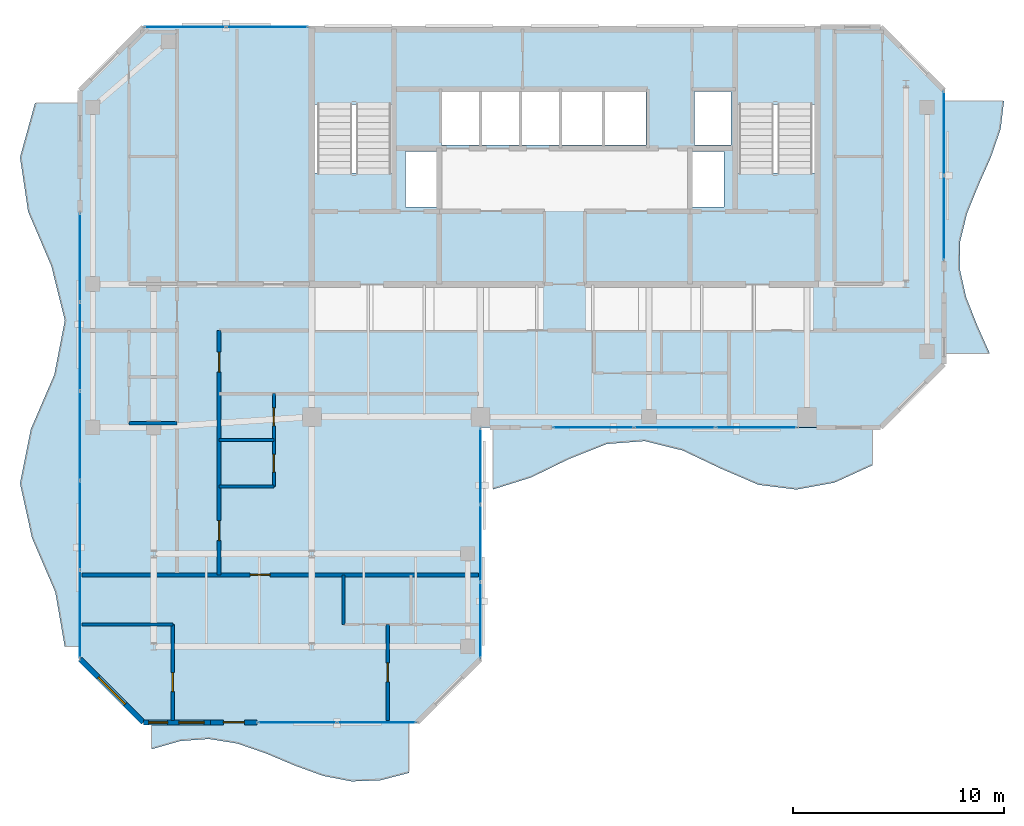
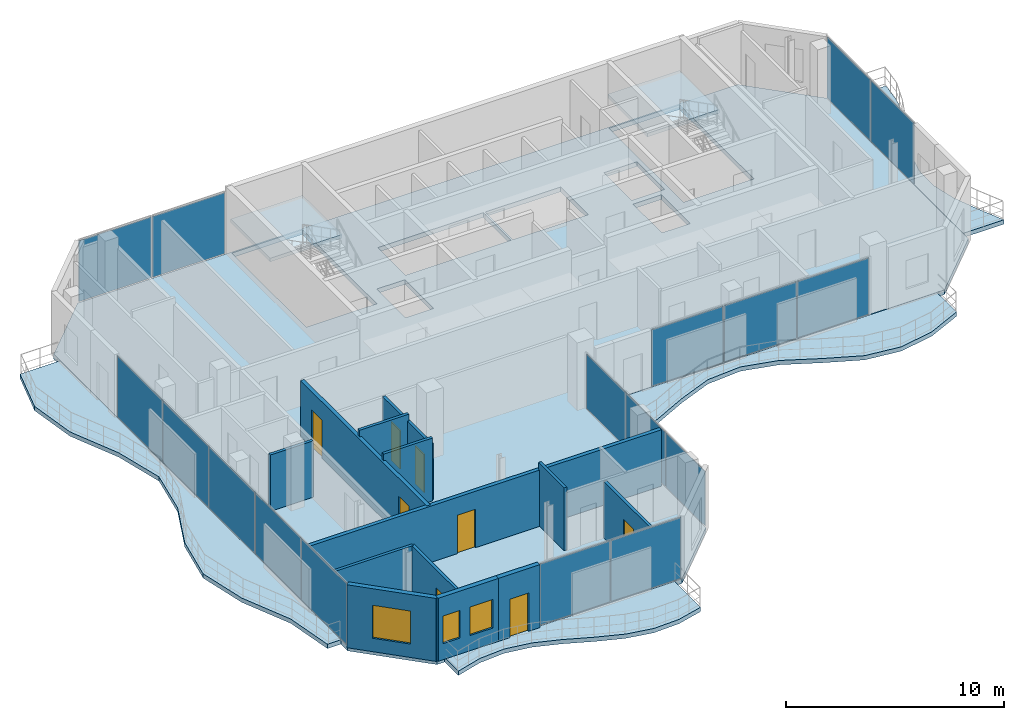
# One storey, part 17 of 23: 17 plates, 13 walls, 8 doors, 7 slabs, 3 windows, 11 openings, 8 elements without a shape of their own.
"""IFC4 building model written with IfcOpenShell, lengths in metres."""

from ifc_helpers import new_model, si_unit, direction, frame, frame_2d, origin, origin_2d, place, context, subcontext, project, spatial, polyline, rectangle, outline, extrude, material, layer, layer_set, type_object, element, fill, aggregate, save


model = new_model("IFC4")

# Units and contexts
model_context = context("Model", 3, precision=1e-05, world=origin(), true_north=direction((0.0, 1.0)))
body_context = subcontext(model_context, "Body", "Model", "MODEL_VIEW")
ifc_project = project(units=[si_unit("LENGTHUNIT", "METRE"), si_unit("AREAUNIT", "SQUARE_METRE"), si_unit("VOLUMEUNIT", "CUBIC_METRE"), si_unit("PLANEANGLEUNIT", "RADIAN"), si_unit("MASSUNIT", "GRAM", prefix="KILO")], contexts=[model_context])

# Site, building, storey
site_placement = place(None, origin())
site = spatial("IfcSite", under=ifc_project, at=site_placement, CompositionType="ELEMENT")
building_placement = place(site_placement, origin())
building = spatial("IfcBuilding", under=site, at=building_placement, Name="Catumbela Crestline Tower", CompositionType="ELEMENT")
storey_placement = place(building_placement, frame((0.0, 0.0, 248.8)))
storey = spatial("IfcBuildingStorey", under=building, at=storey_placement, Name="L64", CompositionType="ELEMENT", Elevation=248.8)

# Curtain wall, plates
ifc_material_1 = material(Name="Aluminium alloy AW-6060-T66", Category="aluminium")
ifc_layer_1 = layer(ifc_material_1, 0.18, Name="Aluminium alloy AW-6060-T66")
ifc_layer_set_1 = layer_set([ifc_layer_1], Name="Aluminium alloy AW-6060-T66")
curtain_wall_type = type_object("IfcCurtainWallType", Name="CWU-Z4", PredefinedType="USERDEFINED", material=ifc_layer_set_1)
curtain_wall_1_placement = place(storey_placement, origin())
curtain_wall_1 = element("IfcCurtainWall", 1, at=curtain_wall_1_placement, inside=storey, type_object=curtain_wall_type, Name="L64 Unitised Curtain Wall CW-L64-E0S2", ObjectType="UNITISED", PredefinedType="USERDEFINED")
ifc_material_2 = material(Name="Low-E laminated solar-control double glazing", Category="glass")
ifc_layer_2 = layer(ifc_material_2, 0.036, Name="Low-E laminated solar-control double glazing")
ifc_layer_set_2 = layer_set([ifc_layer_2], Name="Low-E laminated solar-control double glazing")
plate_type = type_object("IfcPlateType", Name="PNL-GLZ-Z4", PredefinedType="CURTAIN_PANEL", material=ifc_layer_set_2)
plate_1_placement = place(storey_placement, frame((15.3162, 10.0, 0.06), z_axis=(0.0, 0.0, 1.0), x_axis=(1.0, 0.0, 0.0)))
plate_1 = element("IfcPlate", 2, at=plate_1_placement, type_object=plate_type, Name="CWU-Z4 panel 1.1", PredefinedType="CURTAIN_PANEL", context=body_context, shape_type="SweptSolid", body=[
    extrude(rectangle(XDim=3.7025, YDim=0.034, at=origin_2d()), origin(), (0.0, 0.0, 1.0), 3.41),
])
plate_2_placement = place(storey_placement, frame((19.0837, 10.0, 0.06), z_axis=(0.0, 0.0, 1.0), x_axis=(1.0, 0.0, 0.0)))
plate_2 = element("IfcPlate", 3, at=plate_2_placement, type_object=plate_type, Name="CWU-Z4 panel 2.1", PredefinedType="CURTAIN_PANEL", context=body_context, shape_type="SweptSolid", body=[
    extrude(rectangle(XDim=3.7025, YDim=0.034, at=origin_2d()), origin(), (0.0, 0.0, 1.0), 3.41),
])
aggregate(curtain_wall_1, [plate_1, plate_2])

curtain_wall_2_placement = place(storey_placement, origin())
curtain_wall_2 = element("IfcCurtainWall", 4, at=curtain_wall_2_placement, inside=storey, type_object=curtain_wall_type, Name="L64 Unitised Curtain Wall CW-L64-E2S1", ObjectType="UNITISED", PredefinedType="USERDEFINED")
plate_3_placement = place(storey_placement, frame((24.0, 14.8496, 0.06), z_axis=(0.0, 0.0, 1.0), x_axis=(0.0, 1.0, 0.0)))
plate_3 = element("IfcPlate", 5, at=plate_3_placement, type_object=plate_type, Name="CWU-Z4 panel 1.1", PredefinedType="CURTAIN_PANEL", context=body_context, shape_type="SweptSolid", body=[
    extrude(rectangle(XDim=3.5692, YDim=0.034, at=origin_2d()), origin(), (0.0, 0.0, 1.0), 3.04),
])
plate_4_placement = place(storey_placement, frame((24.0, 18.5, 0.06), z_axis=(0.0, 0.0, 1.0), x_axis=(0.0, 1.0, 0.0)))
plate_4 = element("IfcPlate", 6, at=plate_4_placement, type_object=plate_type, Name="CWU-Z4 panel 2.1", PredefinedType="CURTAIN_PANEL", context=body_context, shape_type="SweptSolid", body=[
    extrude(rectangle(XDim=3.6017, YDim=0.034, at=origin_2d()), origin(), (0.0, 0.0, 1.0), 3.04),
])
plate_5_placement = place(storey_placement, frame((24.0, 22.1504, 0.06), z_axis=(0.0, 0.0, 1.0), x_axis=(0.0, 1.0, 0.0)))
plate_5 = element("IfcPlate", 7, at=plate_5_placement, type_object=plate_type, Name="CWU-Z4 panel 3.1", PredefinedType="CURTAIN_PANEL", context=body_context, shape_type="SweptSolid", body=[
    extrude(rectangle(XDim=3.5692, YDim=0.034, at=origin_2d()), origin(), (0.0, 0.0, 1.0), 3.04),
])
aggregate(curtain_wall_2, [plate_3, plate_4, plate_5])

curtain_wall_3_placement = place(storey_placement, origin())
curtain_wall_3 = element("IfcCurtainWall", 8, at=curtain_wall_3_placement, inside=storey, type_object=curtain_wall_type, Name="L64 Unitised Curtain Wall CW-L64-E3S2", ObjectType="UNITISED", PredefinedType="USERDEFINED")
plate_6_placement = place(storey_placement, frame((29.3579, 24.0, 0.06), z_axis=(0.0, 0.0, 1.0), x_axis=(1.0, 0.0, 0.0)))
plate_6 = element("IfcPlate", 9, at=plate_6_placement, type_object=plate_type, Name="CWU-Z4 panel 1.1", PredefinedType="CURTAIN_PANEL", context=body_context, shape_type="SweptSolid", body=[
    extrude(rectangle(XDim=3.7858, YDim=0.034, at=origin_2d()), origin(), (0.0, 0.0, 1.0), 3.15),
])
plate_7_placement = place(storey_placement, frame((33.225, 24.0, 0.06), z_axis=(0.0, 0.0, 1.0), x_axis=(1.0, 0.0, 0.0)))
plate_7 = element("IfcPlate", 10, at=plate_7_placement, type_object=plate_type, Name="CWU-Z4 panel 2.1", PredefinedType="CURTAIN_PANEL", context=body_context, shape_type="SweptSolid", body=[
    extrude(rectangle(XDim=3.8183, YDim=0.034, at=origin_2d()), origin(), (0.0, 0.0, 1.0), 3.15),
])
plate_8_placement = place(storey_placement, frame((37.0921, 24.0, 0.06), z_axis=(0.0, 0.0, 1.0), x_axis=(1.0, 0.0, 0.0)))
plate_8 = element("IfcPlate", 11, at=plate_8_placement, type_object=plate_type, Name="CWU-Z4 panel 3.1", PredefinedType="CURTAIN_PANEL", context=body_context, shape_type="SweptSolid", body=[
    extrude(rectangle(XDim=3.7858, YDim=0.034, at=origin_2d()), origin(), (0.0, 0.0, 1.0), 3.15),
])
aggregate(curtain_wall_3, [plate_6, plate_7, plate_8])

curtain_wall_4_placement = place(storey_placement, origin())
curtain_wall_4 = element("IfcCurtainWall", 12, at=curtain_wall_4_placement, inside=storey, type_object=curtain_wall_type, Name="L64 Unitised Curtain Wall CW-L64-E5S2", ObjectType="UNITISED", PredefinedType="USERDEFINED")
plate_9_placement = place(storey_placement, frame((46.0, 33.9412, 0.06), z_axis=(0.0, 0.0, 1.0), x_axis=(0.0, 1.0, 0.0)))
plate_9 = element("IfcPlate", 13, at=plate_9_placement, type_object=plate_type, Name="CWU-Z4 panel 1.1", PredefinedType="CURTAIN_PANEL", context=body_context, shape_type="SweptSolid", body=[
    extrude(rectangle(XDim=3.9525, YDim=0.034, at=origin_2d()), origin(), (0.0, 0.0, 1.0), 3.41),
])
plate_10_placement = place(storey_placement, frame((46.0, 37.9588, 0.06), z_axis=(0.0, 0.0, 1.0), x_axis=(0.0, 1.0, 0.0)))
plate_10 = element("IfcPlate", 14, at=plate_10_placement, type_object=plate_type, Name="CWU-Z4 panel 2.1", PredefinedType="CURTAIN_PANEL", context=body_context, shape_type="SweptSolid", body=[
    extrude(rectangle(XDim=3.9525, YDim=0.034, at=origin_2d()), origin(), (0.0, 0.0, 1.0), 3.41),
])
aggregate(curtain_wall_4, [plate_9, plate_10])

curtain_wall_5_placement = place(storey_placement, origin())
curtain_wall_5 = element("IfcCurtainWall", 15, at=curtain_wall_5_placement, inside=storey, type_object=curtain_wall_type, Name="L64 Unitised Curtain Wall CW-L64-E7S2", ObjectType="UNITISED", PredefinedType="USERDEFINED")
plate_11_placement = place(storey_placement, frame((13.8788, 43.0, 0.06), z_axis=(0.0, 0.0, 1.0), x_axis=(-1.0, 0.0, 0.0)))
plate_11 = element("IfcPlate", 16, at=plate_11_placement, type_object=plate_type, Name="CWU-Z4 panel 1.1", PredefinedType="CURTAIN_PANEL", context=body_context, shape_type="SweptSolid", body=[
    extrude(rectangle(XDim=3.8325, YDim=0.034, at=origin_2d()), origin(), (0.0, 0.0, 1.0), 3.41),
])
plate_12_placement = place(storey_placement, frame((9.9812, 43.0, 0.06), z_axis=(0.0, 0.0, 1.0), x_axis=(-1.0, 0.0, 0.0)))
plate_12 = element("IfcPlate", 17, at=plate_12_placement, type_object=plate_type, Name="CWU-Z4 panel 2.1", PredefinedType="CURTAIN_PANEL", context=body_context, shape_type="SweptSolid", body=[
    extrude(rectangle(XDim=3.8325, YDim=0.034, at=origin_2d()), origin(), (0.0, 0.0, 1.0), 3.41),
])
aggregate(curtain_wall_5, [plate_11, plate_12])

curtain_wall_6_placement = place(storey_placement, origin())
curtain_wall_6 = element("IfcCurtainWall", 18, at=curtain_wall_6_placement, inside=storey, type_object=curtain_wall_type, Name="L64 Unitised Curtain Wall CW-L64-E9S2", ObjectType="UNITISED", PredefinedType="USERDEFINED")
plate_13_placement = place(storey_placement, frame((5.0, 32.0638, 0.06), z_axis=(0.0, 0.0, 1.0), x_axis=(0.0, -1.0, 0.0)))
plate_13 = element("IfcPlate", 19, at=plate_13_placement, type_object=plate_type, Name="CWU-Z4 panel 1.1", PredefinedType="CURTAIN_PANEL", context=body_context, shape_type="SweptSolid", body=[
    extrude(rectangle(XDim=4.1425, YDim=0.034, at=origin_2d()), origin(), (0.0, 0.0, 1.0), 3.41),
])
plate_14_placement = place(storey_placement, frame((5.0, 27.84, 0.06), z_axis=(0.0, 0.0, 1.0), x_axis=(0.0, -1.0, 0.0)))
plate_14 = element("IfcPlate", 20, at=plate_14_placement, type_object=plate_type, Name="CWU-Z4 panel 2.1", PredefinedType="CURTAIN_PANEL", context=body_context, shape_type="SweptSolid", body=[
    extrude(rectangle(XDim=4.175, YDim=0.034, at=origin_2d()), origin(), (0.0, 0.0, 1.0), 3.41),
])
plate_15_placement = place(storey_placement, frame((5.0, 23.6, 0.06), z_axis=(0.0, 0.0, 1.0), x_axis=(0.0, -1.0, 0.0)))
plate_15 = element("IfcPlate", 21, at=plate_15_placement, type_object=plate_type, Name="CWU-Z4 panel 3.1", PredefinedType="CURTAIN_PANEL", context=body_context, shape_type="SweptSolid", body=[
    extrude(rectangle(XDim=4.175, YDim=0.034, at=origin_2d()), origin(), (0.0, 0.0, 1.0), 3.41),
])
plate_16_placement = place(storey_placement, frame((5.0, 19.36, 0.06), z_axis=(0.0, 0.0, 1.0), x_axis=(0.0, -1.0, 0.0)))
plate_16 = element("IfcPlate", 22, at=plate_16_placement, type_object=plate_type, Name="CWU-Z4 panel 4.1", PredefinedType="CURTAIN_PANEL", context=body_context, shape_type="SweptSolid", body=[
    extrude(rectangle(XDim=4.175, YDim=0.034, at=origin_2d()), origin(), (0.0, 0.0, 1.0), 3.41),
])
plate_17_placement = place(storey_placement, frame((5.0, 15.1362, 0.06), z_axis=(0.0, 0.0, 1.0), x_axis=(0.0, -1.0, 0.0)))
plate_17 = element("IfcPlate", 23, at=plate_17_placement, type_object=plate_type, Name="CWU-Z4 panel 5.1", PredefinedType="CURTAIN_PANEL", context=body_context, shape_type="SweptSolid", body=[
    extrude(rectangle(XDim=4.1425, YDim=0.034, at=origin_2d()), origin(), (0.0, 0.0, 1.0), 3.41),
])
aggregate(curtain_wall_6, [plate_13, plate_14, plate_15, plate_16, plate_17])

# Stair, slab
ifc_material_3 = material(Name="Concrete C45/55", Category="concrete")
stair_type = type_object("IfcStairType", Name="ST-DLG", PredefinedType="HALF_TURN_STAIR", material=ifc_material_3)
stair_1_placement = place(storey_placement, origin())
stair_1 = element("IfcStair", 24, at=stair_1_placement, inside=storey, type_object=stair_type, Name="L64 West Core Pressurised Exit Stair ST-01", PredefinedType="HALF_TURN_STAIR")
ifc_layer_3 = layer(ifc_material_3, 0.2, Name="Concrete C45/55")
ifc_layer_set_3 = layer_set([ifc_layer_3], Name="Concrete C45/55")
slab_type_1 = type_object("IfcSlabType", Name="SL-LND", PredefinedType="LANDING", material=ifc_layer_set_3)
slab_1_placement = place(storey_placement, frame((0.0, 0.0, 1.7)))
slab_1 = element("IfcSlab", 25, at=slab_1_placement, type_object=slab_type_1, Name="ST-01 landing 1", PredefinedType="LANDING", context=body_context, shape_type="SweptSolid", body=[
    extrude(outline(polyline([(19.91, 39.33), (19.91, 42.96), (16.09, 42.96), (16.09, 39.33), (19.91, 39.33)])), origin(), (0.0, 0.0, 1.0), 0.2),
])
aggregate(stair_1, [slab_1])

stair_2_placement = place(storey_placement, origin())
stair_2 = element("IfcStair", 26, at=stair_2_placement, inside=storey, type_object=stair_type, Name="L64 East Core Pressurised Exit Stair ST-02", PredefinedType="HALF_TURN_STAIR")
slab_2_placement = place(storey_placement, frame((0.0, 0.0, 1.7)))
slab_2 = element("IfcSlab", 27, at=slab_2_placement, type_object=slab_type_1, Name="ST-02 landing 1", PredefinedType="LANDING", context=body_context, shape_type="SweptSolid", body=[
    extrude(outline(polyline([(39.91, 39.33), (39.91, 42.96), (36.09, 42.96), (36.09, 39.33), (39.91, 39.33)])), origin(), (0.0, 0.0, 1.0), 0.2),
])
aggregate(stair_2, [slab_2])

# Slabs
ifc_layer_4 = layer(ifc_material_3, 0.26, Name="Concrete C45/55")
ifc_layer_set_4 = layer_set([ifc_layer_4], Name="Concrete C45/55")
slab_type_2 = type_object("IfcSlabType", Name="SL-260", PredefinedType="FLOOR", material=ifc_layer_set_4)
slab_3_placement = place(storey_placement, frame((0.0, 0.0, -0.26)))
element("IfcSlab", 28, at=slab_3_placement, inside=storey, type_object=slab_type_2, Name="L64 Structural Floor Slab", PredefinedType="FLOOR", context=body_context, shape_type="SweptSolid", body=[
    extrude(outline(polyline([(8.0, 10.0), (21.0, 10.0), (24.0, 13.0), (24.0, 24.0), (43.0, 24.0), (46.0, 27.0), (46.0, 40.0), (43.0, 43.0), (8.0, 43.0), (5.0, 40.0), (5.0, 13.0), (8.0, 10.0)]), holes=[polyline([(16.13, 36.08), (19.87, 36.08), (19.87, 42.92), (16.13, 42.92), (16.13, 36.08)]), polyline([(36.13, 36.08), (39.87, 36.08), (39.87, 42.92), (36.13, 42.92), (36.13, 36.08)]), polyline([(22.15, 37.4), (27.75, 37.4), (27.75, 39.95), (22.15, 39.95), (22.15, 37.4)]), polyline([(27.85, 37.4), (31.85, 37.4), (31.85, 39.95), (27.85, 39.95), (27.85, 37.4)]), polyline([(20.45, 34.45), (21.95, 34.45), (21.95, 37.1), (20.45, 37.1), (20.45, 34.45)]), polyline([(34.05, 34.45), (35.55, 34.45), (35.55, 37.1), (34.05, 37.1), (34.05, 34.45)]), polyline([(34.15, 37.4), (35.9, 37.4), (35.9, 39.95), (34.15, 39.95), (34.15, 37.4)])]), origin(), (0.0, 0.0, 1.0), 0.26),
])
ifc_layer_5 = layer(ifc_material_3, 0.24, Name="Concrete C45/55")
ifc_layer_set_5 = layer_set([ifc_layer_5], Name="Concrete C45/55")
slab_type_3 = type_object("IfcSlabType", Name="SB-240W", PredefinedType="USERDEFINED", material=ifc_layer_set_5)
slab_4_placement = place(storey_placement, frame((0.0, 0.0, -0.24)))
element("IfcSlab", 29, at=slab_4_placement, inside=storey, type_object=slab_type_3, Name="L64 Cantilevered Wave Balcony Slab SPINE-S", ObjectType="BALCONY", PredefinedType="USERDEFINED", context=body_context, shape_type="SweptSolid", body=[
    extrude(outline(polyline([(24.6, 21.0587), (26.4, 21.6219), (28.2, 22.4984), (30.0, 23.2132), (31.8, 23.35), (33.6, 22.9053), (35.4, 22.0496), (37.2, 21.2754), (39.0, 21.05), (40.8, 21.3785), (42.6, 22.2), (42.6, 23.99), (24.6, 23.99), (24.6, 21.0587)])), origin(), (0.0, 0.0, 1.0), 0.24),
])
slab_5_placement = place(storey_placement, frame((0.0, 0.0, -0.24)))
element("IfcSlab", 30, at=slab_5_placement, inside=storey, type_object=slab_type_3, Name="L64 Cantilevered Wave Balcony Slab SPINE-E", ObjectType="BALCONY", PredefinedType="USERDEFINED", context=body_context, shape_type="SweptSolid", body=[
    extrude(outline(polyline([(46.01, 27.5), (48.1771, 27.5), (47.5835, 28.8333), (47.0557, 30.1667), (46.7541, 31.5), (46.7704, 32.8333), (47.0995, 34.1667), (47.6416, 35.5), (48.2318, 36.8333), (48.6908, 38.1667), (48.85, 39.5), (46.01, 39.5), (46.01, 27.5)])), origin(), (0.0, 0.0, 1.0), 0.24),
])
slab_6_placement = place(storey_placement, frame((0.0, 0.0, -0.24)))
element("IfcSlab", 31, at=slab_6_placement, inside=storey, type_object=slab_type_3, Name="L64 Cantilevered Wave Balcony Slab WING-S", ObjectType="BALCONY", PredefinedType="USERDEFINED", context=body_context, shape_type="SweptSolid", body=[
    extrude(outline(polyline([(8.4, 8.7274), (9.7556, 9.1141), (11.1111, 9.214), (12.4667, 8.9957), (13.8222, 8.5276), (15.1778, 7.9567), (16.5333, 7.4622), (17.8889, 7.1992), (19.2444, 7.2503), (20.6, 7.5995), (20.6, 9.99), (8.4, 9.99), (8.4, 8.7274)])), origin(), (0.0, 0.0, 1.0), 0.24),
])
slab_7_placement = place(storey_placement, frame((0.0, 0.0, -0.24)))
element("IfcSlab", 32, at=slab_7_placement, inside=storey, type_object=slab_type_3, Name="L64 Cantilevered Wave Balcony Slab WEST", ObjectType="BALCONY", PredefinedType="USERDEFINED", context=body_context, shape_type="SweptSolid", body=[
    extrude(outline(polyline([(4.99, 39.4), (2.8644, 39.4), (2.15, 36.82), (2.5342, 34.24), (3.6369, 31.66), (4.2771, 29.08), (3.7771, 26.5), (2.6662, 23.92), (2.15, 21.34), (2.7175, 18.76), (3.8253, 16.18), (4.2712, 13.6), (4.99, 13.6), (4.99, 39.4)])), origin(), (0.0, 0.0, 1.0), 0.24),
])

# Wall, openings, doors
ifc_material_4 = material(Name="Acoustic gypsum and mineral-wool partition")
ifc_layer_6 = layer(ifc_material_4, 0.2, Name="Acoustic gypsum and mineral-wool partition")
ifc_layer_set_6 = layer_set([ifc_layer_6], Name="Acoustic gypsum and mineral-wool partition")
wall_type_1 = type_object("IfcWallType", Name="WC-200", PredefinedType="PARTITIONING", material=ifc_layer_set_6)
wall_1_placement = place(storey_placement, frame((11.6, 17.0, 0.0), z_axis=(0.0, 0.0, 1.0), x_axis=(0.0, 1.0, 0.0)))
wall_1 = element("IfcWall", 33, at=wall_1_placement, inside=storey, type_object=wall_type_1, Name="L64 Interior Partition PW-L64-RWAM-ENT", PredefinedType="PARTITIONING", context=body_context, shape_type="SweptSolid", body=[
    extrude(rectangle(XDim=11.6, YDim=0.2, at=frame_2d((5.8, 0.0))), origin(), (0.0, 0.0, 1.0), 3.16),
])
opening_1_placement = place(wall_1_placement, frame((9.625, 0.0, 0.0)))
opening_1 = element("IfcOpeningElement", 34, at=opening_1_placement, cuts=wall_1, Name="Opening DF6-095", PredefinedType="OPENING", context=body_context, shape_type="SweptSolid", body=[
    extrude(rectangle(XDim=0.95, YDim=2.15, at=frame_2d((0.475, 1.075))), frame((0.0, 0.11, 0.0), z_axis=(0.0, -1.0, 0.0), x_axis=(1.0, 0.0, 0.0)), (0.0, 0.0, 1.0), 0.22),
])
opening_2_placement = place(wall_1_placement, frame((1.625, 0.0, 0.0)))
opening_2 = element("IfcOpeningElement", 35, at=opening_2_placement, cuts=wall_1, Name="Opening DF6-095", PredefinedType="OPENING", context=body_context, shape_type="SweptSolid", body=[
    extrude(rectangle(XDim=0.95, YDim=2.15, at=frame_2d((0.475, 1.075))), frame((0.0, 0.11, 0.0), z_axis=(0.0, -1.0, 0.0), x_axis=(1.0, 0.0, 0.0)), (0.0, 0.0, 1.0), 0.22),
])
door_type_1 = type_object("IfcDoorType", Name="DF6-095", OperationType="NOTDEFINED", PredefinedType="DOOR", material=ifc_material_1)
door_1_placement = place(opening_1_placement, origin())
door_1 = element("IfcDoor", 36, at=door_1_placement, inside=storey, type_object=door_type_1, Name="L64 Interior Door DR-L64-RWAM-ENT", OperationType="SINGLE_SWING_RIGHT", OverallHeight=2.15, OverallWidth=0.95, PredefinedType="DOOR", context=body_context, shape_type="SweptSolid", body=[
    extrude(rectangle(XDim=0.95, YDim=2.15, at=frame_2d((0.475, 1.075))), frame((0.0, 0.025, 0.0), z_axis=(0.0, -1.0, 0.0), x_axis=(1.0, 0.0, 0.0)), (0.0, 0.0, 1.0), 0.05),
])
fill(opening_1, door_1)
door_2_placement = place(opening_2_placement, origin())
door_2 = element("IfcDoor", 37, at=door_2_placement, inside=storey, type_object=door_type_1, Name="L64 Interior Door DR-L64-WR1-ENT", OperationType="SINGLE_SWING_LEFT", OverallHeight=2.15, OverallWidth=0.95, PredefinedType="DOOR", context=body_context, shape_type="SweptSolid", body=[
    extrude(rectangle(XDim=0.95, YDim=2.15, at=frame_2d((0.475, 1.075))), frame((0.0, 0.025, 0.0), z_axis=(0.0, -1.0, 0.0), x_axis=(1.0, 0.0, 0.0)), (0.0, 0.0, 1.0), 0.05),
])
fill(opening_2, door_2)

# Wall, opening, door
ifc_material_5 = material(Name="Angolan grey-ochre granite", Category="masonry")
ifc_layer_7 = layer(ifc_material_5, 0.25, Name="Angolan grey-ochre granite")
ifc_layer_set_7 = layer_set([ifc_layer_7], Name="Angolan grey-ochre granite")
wall_type_2 = type_object("IfcWallType", Name="WE-250", PredefinedType="STANDARD", material=ifc_layer_set_7)
wall_2_placement = place(storey_placement, frame((11.2, 10.0, 0.0), z_axis=(0.0, 0.0, 1.0), x_axis=(1.0, 0.0, 0.0)))
wall_2 = element("IfcWall", 38, at=wall_2_placement, inside=storey, type_object=wall_type_2, Name="L64 Exterior Threshold Portal Wall DR-L64-WBAL-3", PredefinedType="STANDARD", context=body_context, shape_type="SweptSolid", body=[
    extrude(rectangle(XDim=2.2, YDim=0.25, at=frame_2d((1.1, 0.0))), origin(), (0.0, 0.0, 1.0), 3.53),
])
opening_3_placement = place(wall_2_placement, frame((0.6, 0.0, 0.0)))
opening_3 = element("IfcOpeningElement", 39, at=opening_3_placement, cuts=wall_2, Name="Opening DB-L64-3", PredefinedType="OPENING", context=body_context, shape_type="SweptSolid", body=[
    extrude(rectangle(XDim=1.0, YDim=2.15, at=frame_2d((0.5, 1.075))), frame((0.0, 0.135, 0.0), z_axis=(0.0, -1.0, 0.0), x_axis=(1.0, 0.0, 0.0)), (0.0, 0.0, 1.0), 0.27),
])
door_type_2 = type_object("IfcDoorType", Name="DB-1000", OperationType="NOTDEFINED", PredefinedType="DOOR", material=ifc_material_1)
door_3_placement = place(opening_3_placement, origin())
door_3 = element("IfcDoor", 40, at=door_3_placement, inside=storey, type_object=door_type_2, Name="L64 Wave Balcony Terrace Door 3", OperationType="SINGLE_SWING_RIGHT", OverallHeight=2.15, OverallWidth=1.0, PredefinedType="DOOR", context=body_context, shape_type="SweptSolid", body=[
    extrude(rectangle(XDim=1.0, YDim=2.15, at=frame_2d((0.5, 1.075))), frame((0.0, 0.025, 0.0), z_axis=(0.0, -1.0, 0.0), x_axis=(1.0, 0.0, 0.0)), (0.0, 0.0, 1.0), 0.05),
])
fill(opening_3, door_3)

# Wall, openings, windows
wall_3_placement = place(storey_placement, frame((8.0, 10.0, 0.0), z_axis=(0.0, 0.0, 1.0), x_axis=(1.0, 0.0, 0.0)))
wall_3 = element("IfcWall", 41, at=wall_3_placement, inside=storey, type_object=wall_type_2, Name="L64 Granite Punched Window Wall 0-1", PredefinedType="STANDARD", context=body_context, shape_type="SweptSolid", body=[
    extrude(rectangle(XDim=3.2, YDim=0.25, at=frame_2d((1.6, 0.0))), origin(), (0.0, 0.0, 1.0), 3.53),
])
opening_4_placement = place(wall_3_placement, frame((0.26, 0.0, 0.9)))
opening_4 = element("IfcOpeningElement", 42, at=opening_4_placement, cuts=wall_3, Name="Opening WN-03", PredefinedType="OPENING", context=body_context, shape_type="SweptSolid", body=[
    extrude(rectangle(XDim=0.9, YDim=1.55, at=frame_2d((0.45, 0.775))), frame((0.0, 0.135, 0.0), z_axis=(0.0, -1.0, 0.0), x_axis=(1.0, 0.0, 0.0)), (0.0, 0.0, 1.0), 0.27),
])
opening_5_placement = place(wall_3_placement, frame((1.69, 0.0, 0.85)))
opening_5 = element("IfcOpeningElement", 43, at=opening_5_placement, cuts=wall_3, Name="Opening WN-02", PredefinedType="OPENING", context=body_context, shape_type="SweptSolid", body=[
    extrude(rectangle(XDim=1.2, YDim=1.6, at=frame_2d((0.6, 0.8))), frame((0.0, 0.135, 0.0), z_axis=(0.0, -1.0, 0.0), x_axis=(1.0, 0.0, 0.0)), (0.0, 0.0, 1.0), 0.27),
])
window_type_1 = type_object("IfcWindowType", Name="WO-0900", PartitioningType="SINGLE_PANEL", PredefinedType="WINDOW", material=ifc_material_2)
window_1_placement = place(opening_4_placement, origin())
window_1 = element("IfcWindow", 44, at=window_1_placement, inside=storey, type_object=window_type_1, Name="L64 Facade Vision Window 479", OverallHeight=1.55, OverallWidth=0.9, PartitioningType="SINGLE_PANEL", PredefinedType="WINDOW", context=body_context, shape_type="SweptSolid", body=[
    extrude(rectangle(XDim=0.9, YDim=1.55, at=frame_2d((0.45, 0.775))), frame((0.0, 0.03, 0.0), z_axis=(0.0, -1.0, 0.0), x_axis=(1.0, 0.0, 0.0)), (0.0, 0.0, 1.0), 0.06),
])
fill(opening_4, window_1)
window_type_2 = type_object("IfcWindowType", Name="WO-1200", PartitioningType="SINGLE_PANEL", PredefinedType="WINDOW", material=ifc_material_2)
window_2_placement = place(opening_5_placement, origin())
window_2 = element("IfcWindow", 45, at=window_2_placement, inside=storey, type_object=window_type_2, Name="L64 Facade Vision Window 480", OverallHeight=1.6, OverallWidth=1.2, PartitioningType="SINGLE_PANEL", PredefinedType="WINDOW", context=body_context, shape_type="SweptSolid", body=[
    extrude(rectangle(XDim=1.2, YDim=1.6, at=frame_2d((0.6, 0.8))), frame((0.0, 0.03, 0.0), z_axis=(0.0, -1.0, 0.0), x_axis=(1.0, 0.0, 0.0)), (0.0, 0.0, 1.0), 0.06),
])
fill(opening_5, window_2)

# Wall, opening, window
wall_4_placement = place(storey_placement, frame((5.0, 13.0, 0.0), z_axis=(0.0, 0.0, 1.0), x_axis=(0.707106781187, -0.707106781187, 0.0)))
wall_4 = element("IfcWall", 46, at=wall_4_placement, inside=storey, type_object=wall_type_2, Name="L64 Granite Punched Window Wall 10-1", PredefinedType="STANDARD", context=body_context, shape_type="SweptSolid", body=[
    extrude(rectangle(XDim=4.2426, YDim=0.25, at=frame_2d((2.1213, 0.0))), origin(), (0.0, 0.0, 1.0), 3.53),
])
opening_6_placement = place(wall_4_placement, frame((1.2213, 0.0, 0.75)))
opening_6 = element("IfcOpeningElement", 47, at=opening_6_placement, cuts=wall_4, Name="Opening WN-01", PredefinedType="OPENING", context=body_context, shape_type="SweptSolid", body=[
    extrude(rectangle(XDim=1.8, YDim=1.85, at=frame_2d((0.9, 0.925))), frame((0.0, 0.135, 0.0), z_axis=(0.0, -1.0, 0.0), x_axis=(1.0, 0.0, 0.0)), (0.0, 0.0, 1.0), 0.27),
])
window_type_3 = type_object("IfcWindowType", Name="WF-1800", PartitioningType="SINGLE_PANEL", PredefinedType="WINDOW", material=ifc_material_2)
window_3_placement = place(opening_6_placement, origin())
window_3 = element("IfcWindow", 48, at=window_3_placement, inside=storey, type_object=window_type_3, Name="L64 Facade Vision Window 489", OverallHeight=1.85, OverallWidth=1.8, PartitioningType="SINGLE_PANEL", PredefinedType="WINDOW", context=body_context, shape_type="SweptSolid", body=[
    extrude(rectangle(XDim=1.8, YDim=1.85, at=frame_2d((0.9, 0.925))), frame((0.0, 0.03, 0.0), z_axis=(0.0, -1.0, 0.0), x_axis=(1.0, 0.0, 0.0)), (0.0, 0.0, 1.0), 0.06),
])
fill(opening_6, window_3)

# Walls
ifc_layer_8 = layer(ifc_material_4, 0.15, Name="Acoustic gypsum and mineral-wool partition")
ifc_layer_set_8 = layer_set([ifc_layer_8], Name="Acoustic gypsum and mineral-wool partition")
wall_type_3 = type_object("IfcWallType", Name="WP-150", PredefinedType="PARTITIONING", material=ifc_layer_set_8)
wall_5_placement = place(storey_placement, frame((7.32, 24.2, 0.0), z_axis=(0.0, 0.0, 1.0), x_axis=(1.0, 0.0, 0.0)))
element("IfcWall", 49, at=wall_5_placement, inside=storey, type_object=wall_type_3, Name="L64 Interior Partition PW-L64-WL1-KBS", PredefinedType="PARTITIONING", context=body_context, shape_type="SweptSolid", body=[
    extrude(rectangle(XDim=2.28, YDim=0.15, at=frame_2d((1.14, 0.0))), origin(), (0.0, 0.0, 1.0), 3.16),
])
for number, where, z_axis, x_axis, name in (
    (50, (11.6, 21.2, 0.0), (0.0, 0.0, 1.0), (1.0, 0.0, 0.0), "L64 Interior Partition PW-L64-WR1-KBS"),
    (51, (11.6, 23.4, 0.0), (0.0, 0.0, 1.0), (1.0, 0.0, 0.0), "L64 Interior Partition PW-L64-WR1-KBM"),
):
    element("IfcWall", number, at=place(storey_placement, frame(where, z_axis=z_axis, x_axis=x_axis)), inside=storey, type_object=wall_type_3, Name=name, PredefinedType="PARTITIONING", context=body_context, shape_type="SweptSolid", body=[
        extrude(rectangle(XDim=2.6, YDim=0.15, at=frame_2d((1.3, 0.0))), origin(), (0.0, 0.0, 1.0), 3.53),
    ])

# Wall, openings, doors
wall_6_placement = place(storey_placement, frame((14.2, 21.2, 0.0), z_axis=(0.0, 0.0, 1.0), x_axis=(0.0, 1.0, 0.0)))
wall_6 = element("IfcWall", 52, at=wall_6_placement, inside=storey, type_object=wall_type_3, Name="L64 Interior Partition PW-L64-WR1-SK1", PredefinedType="PARTITIONING", context=body_context, shape_type="SweptSolid", body=[
    extrude(rectangle(XDim=4.4, YDim=0.15, at=frame_2d((2.2, 0.0))), origin(), (0.0, 0.0, 1.0), 3.16),
])
opening_7_placement = place(wall_6_placement, frame((0.675, 0.0, 0.0)))
opening_7 = element("IfcOpeningElement", 53, at=opening_7_placement, cuts=wall_6, Name="Opening DI-085", PredefinedType="OPENING", context=body_context, shape_type="SweptSolid", body=[
    extrude(rectangle(XDim=0.85, YDim=2.15, at=frame_2d((0.425, 1.075))), frame((0.0, 0.085, 0.0), z_axis=(0.0, -1.0, 0.0), x_axis=(1.0, 0.0, 0.0)), (0.0, 0.0, 1.0), 0.17),
])
opening_8_placement = place(wall_6_placement, frame((2.875, 0.0, 0.0)))
opening_8 = element("IfcOpeningElement", 54, at=opening_8_placement, cuts=wall_6, Name="Opening DI-085", PredefinedType="OPENING", context=body_context, shape_type="SweptSolid", body=[
    extrude(rectangle(XDim=0.85, YDim=2.15, at=frame_2d((0.425, 1.075))), frame((0.0, 0.085, 0.0), z_axis=(0.0, -1.0, 0.0), x_axis=(1.0, 0.0, 0.0)), (0.0, 0.0, 1.0), 0.17),
])
door_type_3 = type_object("IfcDoorType", Name="DI-085", OperationType="NOTDEFINED", PredefinedType="DOOR", material=ifc_material_1)
door_4_placement = place(opening_7_placement, origin())
door_4 = element("IfcDoor", 55, at=door_4_placement, inside=storey, type_object=door_type_3, Name="L64 Interior Door DR-L64-WR1-KIT", OperationType="SINGLE_SWING_LEFT", OverallHeight=2.15, OverallWidth=0.85, PredefinedType="DOOR", context=body_context, shape_type="SweptSolid", body=[
    extrude(rectangle(XDim=0.85, YDim=2.15, at=frame_2d((0.425, 1.075))), frame((0.0, 0.025, 0.0), z_axis=(0.0, -1.0, 0.0), x_axis=(1.0, 0.0, 0.0)), (0.0, 0.0, 1.0), 0.05),
])
fill(opening_7, door_4)
door_5_placement = place(opening_8_placement, origin())
door_5 = element("IfcDoor", 56, at=door_5_placement, inside=storey, type_object=door_type_3, Name="L64 Interior Door DR-L64-WR1-BTH", OperationType="SINGLE_SWING_RIGHT", OverallHeight=2.15, OverallWidth=0.85, PredefinedType="DOOR", context=body_context, shape_type="SweptSolid", body=[
    extrude(rectangle(XDim=0.85, YDim=2.15, at=frame_2d((0.425, 1.075))), frame((0.0, 0.025, 0.0), z_axis=(0.0, -1.0, 0.0), x_axis=(1.0, 0.0, 0.0)), (0.0, 0.0, 1.0), 0.05),
])
fill(opening_8, door_5)

# Walls
wall_7_placement = place(storey_placement, frame((17.5, 14.65, 0.0), z_axis=(0.0, 0.0, 1.0), x_axis=(0.0, 1.0, 0.0)))
element("IfcWall", 57, at=wall_7_placement, inside=storey, type_object=wall_type_3, Name="L64 Interior Partition PW-L64-SH1-KBW", PredefinedType="PARTITIONING", context=body_context, shape_type="SweptSolid", body=[
    extrude(rectangle(XDim=2.35, YDim=0.15, at=frame_2d((1.175, 0.0))), origin(), (0.0, 0.0, 1.0), 3.53),
])
wall_8_placement = place(storey_placement, frame((5.1, 14.65, 0.0), z_axis=(0.0, 0.0, 1.0), x_axis=(1.0, 0.0, 0.0)))
element("IfcWall", 58, at=wall_8_placement, inside=storey, type_object=wall_type_3, Name="L64 Interior Partition PW-L64-SH1-BDLH", PredefinedType="PARTITIONING", context=body_context, shape_type="SweptSolid", body=[
    extrude(rectangle(XDim=4.3, YDim=0.15, at=frame_2d((2.15, 0.0))), origin(), (0.0, 0.0, 1.0), 3.16),
])

# Wall, opening, door
wall_9_placement = place(storey_placement, frame((9.4, 10.1, 0.0), z_axis=(0.0, 0.0, 1.0), x_axis=(0.0, 1.0, 0.0)))
wall_9 = element("IfcWall", 59, at=wall_9_placement, inside=storey, type_object=wall_type_3, Name="L64 Interior Partition PW-L64-SH1-BDL", PredefinedType="PARTITIONING", context=body_context, shape_type="SweptSolid", body=[
    extrude(rectangle(XDim=4.55, YDim=0.15, at=frame_2d((2.275, 0.0))), origin(), (0.0, 0.0, 1.0), 3.16),
])
opening_9_placement = place(wall_9_placement, frame((1.3648, 0.0, 0.0)))
opening_9 = element("IfcOpeningElement", 60, at=opening_9_placement, cuts=wall_9, Name="Opening DI-090", PredefinedType="OPENING", context=body_context, shape_type="SweptSolid", body=[
    extrude(rectangle(XDim=0.9, YDim=2.15, at=frame_2d((0.45, 1.075))), frame((0.0, 0.085, 0.0), z_axis=(0.0, -1.0, 0.0), x_axis=(1.0, 0.0, 0.0)), (0.0, 0.0, 1.0), 0.17),
])
door_type_4 = type_object("IfcDoorType", Name="DI-090", OperationType="NOTDEFINED", PredefinedType="DOOR", material=ifc_material_1)
door_6_placement = place(opening_9_placement, origin())
door_6 = element("IfcDoor", 61, at=door_6_placement, inside=storey, type_object=door_type_4, Name="L64 Interior Door DR-L64-SH1-BD1", OperationType="SINGLE_SWING_LEFT", OverallHeight=2.15, OverallWidth=0.9, PredefinedType="DOOR", context=body_context, shape_type="SweptSolid", body=[
    extrude(rectangle(XDim=0.9, YDim=2.15, at=frame_2d((0.45, 1.075))), frame((0.0, 0.025, 0.0), z_axis=(0.0, -1.0, 0.0), x_axis=(1.0, 0.0, 0.0)), (0.0, 0.0, 1.0), 0.05),
])
fill(opening_9, door_6)

wall_10_placement = place(storey_placement, frame((19.6, 10.1, 0.0), z_axis=(0.0, 0.0, 1.0), x_axis=(0.0, 1.0, 0.0)))
wall_10 = element("IfcWall", 62, at=wall_10_placement, inside=storey, type_object=wall_type_3, Name="L64 Interior Partition PW-L64-SH1-BDR", PredefinedType="PARTITIONING", context=body_context, shape_type="SweptSolid", body=[
    extrude(rectangle(XDim=4.55, YDim=0.15, at=frame_2d((2.275, 0.0))), origin(), (0.0, 0.0, 1.0), 3.16),
])
opening_10_placement = place(wall_10_placement, frame((1.825, 0.0, 0.0)))
opening_10 = element("IfcOpeningElement", 63, at=opening_10_placement, cuts=wall_10, Name="Opening DI-090", PredefinedType="OPENING", context=body_context, shape_type="SweptSolid", body=[
    extrude(rectangle(XDim=0.9, YDim=2.15, at=frame_2d((0.45, 1.075))), frame((0.0, 0.085, 0.0), z_axis=(0.0, -1.0, 0.0), x_axis=(1.0, 0.0, 0.0)), (0.0, 0.0, 1.0), 0.17),
])
door_7_placement = place(opening_10_placement, origin())
door_7 = element("IfcDoor", 64, at=door_7_placement, inside=storey, type_object=door_type_4, Name="L64 Interior Door DR-L64-SH1-BD2", OperationType="SINGLE_SWING_RIGHT", OverallHeight=2.15, OverallWidth=0.9, PredefinedType="DOOR", context=body_context, shape_type="SweptSolid", body=[
    extrude(rectangle(XDim=0.9, YDim=2.15, at=frame_2d((0.45, 1.075))), frame((0.0, 0.025, 0.0), z_axis=(0.0, -1.0, 0.0), x_axis=(1.0, 0.0, 0.0)), (0.0, 0.0, 1.0), 0.05),
])
fill(opening_10, door_7)

ifc_layer_9 = layer(ifc_material_4, 0.2, Name="Acoustic gypsum and mineral-wool partition")
ifc_layer_set_9 = layer_set([ifc_layer_9], Name="Acoustic gypsum and mineral-wool partition")
wall_type_4 = type_object("IfcWallType", Name="WY-200", PredefinedType="PARTITIONING", material=ifc_layer_set_9)
wall_11_placement = place(storey_placement, frame((5.1, 17.0, 0.0), z_axis=(0.0, 0.0, 1.0), x_axis=(1.0, 0.0, 0.0)))
wall_11 = element("IfcWall", 65, at=wall_11_placement, inside=storey, type_object=wall_type_4, Name="L64 Interior Partition PW-L64-SH-WL", PredefinedType="PARTITIONING", context=body_context, shape_type="SweptSolid", body=[
    extrude(rectangle(XDim=18.8, YDim=0.2, at=frame_2d((9.4, 0.0))), origin(), (0.0, 0.0, 1.0), 3.16),
])
opening_11_placement = place(wall_11_placement, frame((7.975, 0.0, 0.0)))
opening_11 = element("IfcOpeningElement", 66, at=opening_11_placement, cuts=wall_11, Name="Opening DF6-095", PredefinedType="OPENING", context=body_context, shape_type="SweptSolid", body=[
    extrude(rectangle(XDim=0.95, YDim=2.15, at=frame_2d((0.475, 1.075))), frame((0.0, 0.11, 0.0), z_axis=(0.0, -1.0, 0.0), x_axis=(1.0, 0.0, 0.0)), (0.0, 0.0, 1.0), 0.22),
])
door_8_placement = place(opening_11_placement, origin())
door_8 = element("IfcDoor", 67, at=door_8_placement, inside=storey, type_object=door_type_1, Name="L64 Interior Door DR-L64-SH1-ENT", OperationType="SINGLE_SWING_LEFT", OverallHeight=2.15, OverallWidth=0.95, PredefinedType="DOOR", context=body_context, shape_type="SweptSolid", body=[
    extrude(rectangle(XDim=0.95, YDim=2.15, at=frame_2d((0.475, 1.075))), frame((0.0, 0.025, 0.0), z_axis=(0.0, -1.0, 0.0), x_axis=(1.0, 0.0, 0.0)), (0.0, 0.0, 1.0), 0.05),
])
fill(opening_11, door_8)

save(model, "model.ifc")
